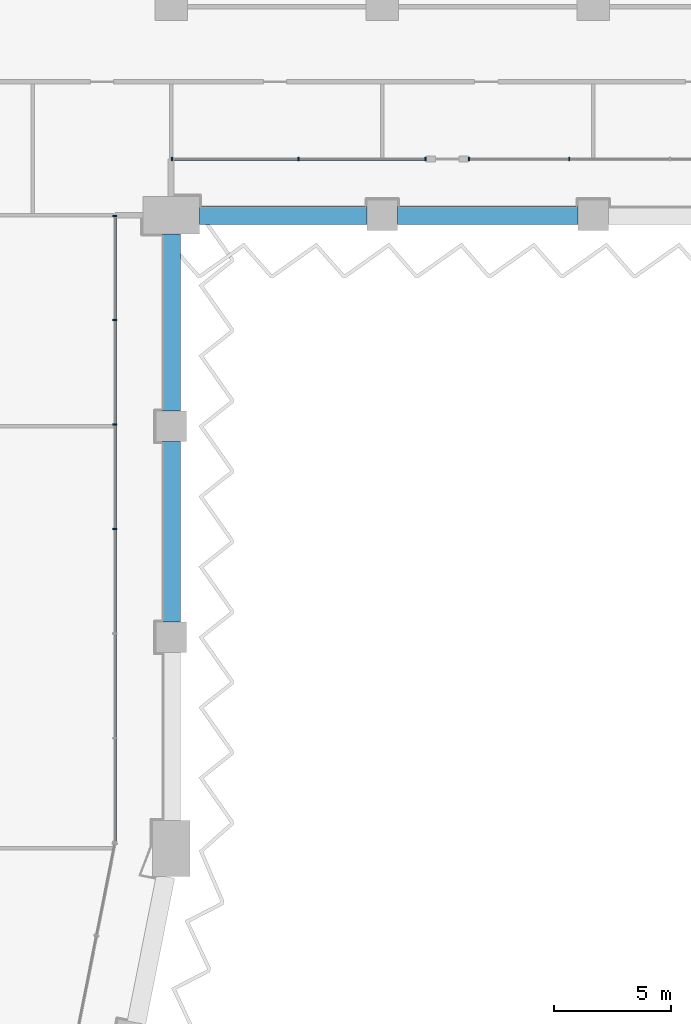
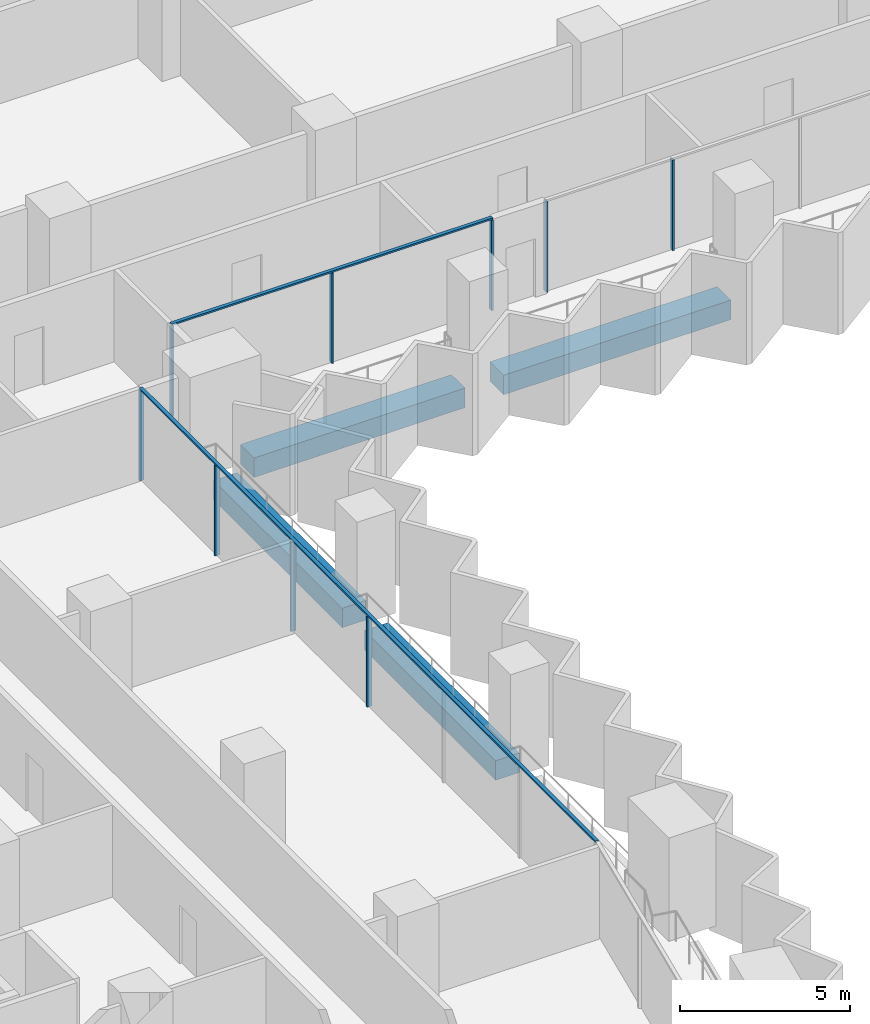
# One storey, part 4 of 29: 11 members, 4 beams, 3 elements without a shape of their own.
"""IFC4 building model written with IfcOpenShell, lengths in metres."""

from ifc_helpers import new_model, si_unit, direction, frame, origin, origin_2d, place, context, subcontext, project, spatial, rectangle, extrude, material, material_profile, profile_set, type_object, element, aggregate, save


model = new_model("IFC4")

# Units and contexts
model_context = context("Model", 3, precision=1e-05, world=origin(), true_north=direction((0.0, 1.0)))
body_context = subcontext(model_context, "Body", "Model", "MODEL_VIEW")
ifc_project = project(units=[si_unit("LENGTHUNIT", "METRE"), si_unit("AREAUNIT", "SQUARE_METRE"), si_unit("VOLUMEUNIT", "CUBIC_METRE"), si_unit("PLANEANGLEUNIT", "RADIAN"), si_unit("MASSUNIT", "GRAM", prefix="KILO")], contexts=[model_context])

# Site, building, storey
site_placement = place(None, origin())
site = spatial("IfcSite", under=ifc_project, at=site_placement, CompositionType="ELEMENT")
building_placement = place(site_placement, origin())
building = spatial("IfcBuilding", under=site, at=building_placement, Name="Hunhe Ridgeline Campus", CompositionType="ELEMENT")
storey_placement = place(building_placement, frame((0.0, 0.0, 50.60009765625)))
storey = spatial("IfcBuildingStorey", under=building, at=storey_placement, Name="L11", CompositionType="ELEMENT", Elevation=50.60009765625)

# Curtain wall, members
ifc_material_1 = material(Name="Aluminium 6063", Category="aluminium")
curtain_wall_type = type_object("IfcCurtainWallType", Name="Curtain wall CW-1", PredefinedType="NOTDEFINED", material=ifc_material_1)
curtain_wall_1_placement = place(storey_placement, origin())
curtain_wall_1 = element("IfcCurtainWall", 1, at=curtain_wall_1_placement, inside=storey, type_object=curtain_wall_type, Name="Curtain wall 11", PredefinedType="NOTDEFINED")
ifc_material_profile_1 = material_profile(ifc_material_1, rectangle(XDim=0.159912109375, YDim=0.06005859375, at=origin_2d()))
ifc_profile_set_1 = profile_set([ifc_material_profile_1], Name="Aluminium 6063")
member_type_1 = type_object("IfcMemberType", Name="CW-1 aluminium mullion", PredefinedType="MULLION", material=ifc_profile_set_1)
member_1_placement = place(storey_placement, frame((42.59912109375, 40.618408203125, 0.0), z_axis=(0.0, 0.0, 1.0), x_axis=(-1.0, 1.8682e-07, 0.0)))
member_1 = element("IfcMember", 2, at=member_1_placement, type_object=member_type_1, Name="CW-1 mullion 4", PredefinedType="MULLION", context=body_context, shape_type="SweptSolid", body=[
    extrude(rectangle(XDim=0.159912109375, YDim=0.06005859375, at=origin_2d()), origin(), (0.0, 0.0, 1.0), 3.239990234375),
])
member_2_placement = place(storey_placement, frame((42.59912109375, 45.078857421875, 0.0), z_axis=(0.0, 0.0, 1.0), x_axis=(-1.0, 1.8682e-07, 0.0)))
member_2 = element("IfcMember", 3, at=member_2_placement, type_object=member_type_1, Name="CW-1 mullion 5", PredefinedType="MULLION", context=body_context, shape_type="SweptSolid", body=[
    extrude(rectangle(XDim=0.159912109375, YDim=0.06005859375, at=origin_2d()), origin(), (0.0, 0.0, 1.0), 3.239990234375),
])
member_3_placement = place(storey_placement, frame((42.59912109375, 49.53955078125, 0.0), z_axis=(0.0, 0.0, 1.0), x_axis=(-1.0, 1.8682e-07, 0.0)))
member_3 = element("IfcMember", 4, at=member_3_placement, type_object=member_type_1, Name="CW-1 mullion 6", PredefinedType="MULLION", context=body_context, shape_type="SweptSolid", body=[
    extrude(rectangle(XDim=0.159912109375, YDim=0.06005859375, at=origin_2d()), origin(), (0.0, 0.0, 1.0), 3.239990234375),
])
member_4_placement = place(storey_placement, frame((42.59912109375, 53.97021484375, 0.0), z_axis=(0.0, 0.0, 1.0), x_axis=(-1.0, 1.8682e-07, 0.0)))
member_4 = element("IfcMember", 5, at=member_4_placement, type_object=member_type_1, Name="CW-1 mullion 7", PredefinedType="MULLION", context=body_context, shape_type="SweptSolid", body=[
    extrude(rectangle(XDim=0.159912109375, YDim=0.06005859375, at=origin_2d()), origin(), (0.0, 0.0, 1.0), 3.239990234375),
])

curtain_wall_2_placement = place(storey_placement, origin())
curtain_wall_2 = element("IfcCurtainWall", 6, at=curtain_wall_2_placement, inside=storey, type_object=curtain_wall_type, Name="Curtain wall 12", PredefinedType="NOTDEFINED")
member_5_placement = place(storey_placement, frame((45.029541015625, 56.40087890625, 0.0), z_axis=(0.0, 0.0, 1.0), x_axis=(-3.58625e-06, 0.999999999994, 0.0)))
member_5 = element("IfcMember", 7, at=member_5_placement, type_object=member_type_1, Name="CW-1 mullion 1", PredefinedType="MULLION", context=body_context, shape_type="SweptSolid", body=[
    extrude(rectangle(XDim=0.159912109375, YDim=0.06005859375, at=origin_2d()), origin(), (0.0, 0.0, 1.0), 3.239990234375),
])
member_6_placement = place(storey_placement, frame((50.436767578125, 56.40087890625, 0.0), z_axis=(0.0, 0.0, 1.0), x_axis=(-3.58625e-06, 0.999999999994, 0.0)))
member_6 = element("IfcMember", 8, at=member_6_placement, type_object=member_type_1, Name="CW-1 mullion 2", PredefinedType="MULLION", context=body_context, shape_type="SweptSolid", body=[
    extrude(rectangle(XDim=0.159912109375, YDim=0.06005859375, at=origin_2d()), origin(), (0.0, 0.0, 1.0), 3.239990234375),
])
member_7_placement = place(storey_placement, frame((55.84423828125, 56.40087890625, 0.0), z_axis=(0.0, 0.0, 1.0), x_axis=(-3.58625e-06, 0.999999999994, 0.0)))
member_7 = element("IfcMember", 9, at=member_7_placement, type_object=member_type_1, Name="CW-1 mullion 3", PredefinedType="MULLION", context=body_context, shape_type="SweptSolid", body=[
    extrude(rectangle(XDim=0.159912109375, YDim=0.06005859375, at=origin_2d()), origin(), (0.0, 0.0, 1.0), 3.239990234375),
])

curtain_wall_3_placement = place(storey_placement, origin())
curtain_wall_3 = element("IfcCurtainWall", 10, at=curtain_wall_3_placement, inside=storey, type_object=curtain_wall_type, Name="Curtain wall 13", PredefinedType="NOTDEFINED")
member_8_placement = place(storey_placement, frame((57.704345703125, 56.40087890625, 0.0), z_axis=(0.0, 0.0, 1.0), x_axis=(-3.602063e-06, 0.999999999994, 0.0)))
member_8 = element("IfcMember", 11, at=member_8_placement, type_object=member_type_1, Name="CW-1 mullion 1", PredefinedType="MULLION", context=body_context, shape_type="SweptSolid", body=[
    extrude(rectangle(XDim=0.159912109375, YDim=0.06005859375, at=origin_2d()), origin(), (0.0, 0.0, 1.0), 3.239990234375),
])
member_9_placement = place(storey_placement, frame((61.977294921875, 56.40087890625, 0.0), z_axis=(0.0, 0.0, 1.0), x_axis=(-3.602063e-06, 0.999999999994, 0.0)))
member_9 = element("IfcMember", 12, at=member_9_placement, type_object=member_type_1, Name="CW-1 mullion 2", PredefinedType="MULLION", context=body_context, shape_type="SweptSolid", body=[
    extrude(rectangle(XDim=0.159912109375, YDim=0.06005859375, at=origin_2d()), origin(), (0.0, 0.0, 1.0), 3.239990234375),
])
aggregate(curtain_wall_3, [member_8, member_9])

# Member
ifc_material_profile_2 = material_profile(ifc_material_1, rectangle(XDim=0.1201171875, YDim=0.06005859375, at=origin_2d()))
ifc_profile_set_2 = profile_set([ifc_material_profile_2], Name="Aluminium 6063")
member_type_2 = type_object("IfcMemberType", Name="CW-1 aluminium transom", PredefinedType="USERDEFINED", material=ifc_profile_set_2)
member_10_placement = place(storey_placement, frame((42.59912109375, 27.236572265625, 3.27001953125), z_axis=(0.0, 1.0, 0.0), x_axis=(-1.0, 0.0, 0.0)))
member_10 = element("IfcMember", 13, at=member_10_placement, type_object=member_type_2, Name="CW-1 transom 1", ObjectType="TRANSOM", PredefinedType="USERDEFINED", context=body_context, shape_type="SweptSolid", body=[
    extrude(rectangle(XDim=0.1201171875, YDim=0.06005859375, at=origin_2d()), origin(), (0.0, 0.0, 1.0), 26.763427734375),
])

aggregate(curtain_wall_1, [member_10, member_1, member_2, member_3, member_4])

member_11_placement = place(storey_placement, frame((44.99951171875, 56.40087890625, 3.27001953125), z_axis=(1.0, 0.0, 0.0), x_axis=(0.0, 1.0, 0.0)))
member_11 = element("IfcMember", 14, at=member_11_placement, type_object=member_type_2, Name="CW-1 transom 1", ObjectType="TRANSOM", PredefinedType="USERDEFINED", context=body_context, shape_type="SweptSolid", body=[
    extrude(rectangle(XDim=0.1201171875, YDim=0.06005859375, at=origin_2d()), origin(), (0.0, 0.0, 1.0), 10.874755859375),
])

aggregate(curtain_wall_2, [member_11, member_5, member_6, member_7])

# Beams
ifc_material_2 = material(Name="Concrete C60", Category="concrete")
ifc_material_profile_3 = material_profile(ifc_material_2, rectangle(XDim=0.800048828125, YDim=0.699951171875, at=origin_2d()))
ifc_profile_set_3 = profile_set([ifc_material_profile_3], Name="Concrete C60")
beam_type = type_object("IfcBeamType", Name="RC spandrel beam 800x700 Concrete C60", PredefinedType="SPANDREL", material=ifc_profile_set_3)
beam_1_placement = place(storey_placement, frame((45.0, 36.64990234375, -0.60009765625), z_axis=(0.0, 1.0, 0.0), x_axis=(-1.0, 0.0, 0.0)))
element("IfcBeam", 15, at=beam_1_placement, inside=storey, type_object=beam_type, Name="Spandrel beam B1-10 L11", PredefinedType="SPANDREL", context=body_context, shape_type="SweptSolid", body=[
    extrude(rectangle(XDim=0.800048828125, YDim=0.699951171875, at=origin_2d()), origin(), (0.0, 0.0, 1.0), 7.7001953125),
])
beam_2_placement = place(storey_placement, frame((45.0, 45.64990234375, -0.60009765625), z_axis=(0.0, 1.0, 0.0), x_axis=(-1.0, 0.0, 0.0)))
element("IfcBeam", 16, at=beam_2_placement, inside=storey, type_object=beam_type, Name="Spandrel beam B1-11 L11", PredefinedType="SPANDREL", context=body_context, shape_type="SweptSolid", body=[
    extrude(rectangle(XDim=0.800048828125, YDim=0.699951171875, at=origin_2d()), origin(), (0.0, 0.0, 1.0), 7.550048828125),
])
beam_3_placement = place(storey_placement, frame((46.199951171875, 54.0, -0.60009765625), z_axis=(1.0, 0.0, 0.0), x_axis=(0.0, 1.0, 0.0)))
element("IfcBeam", 17, at=beam_3_placement, inside=storey, type_object=beam_type, Name="Spandrel beam B1-12 L11", PredefinedType="SPANDREL", context=body_context, shape_type="SweptSolid", body=[
    extrude(rectangle(XDim=0.800048828125, YDim=0.699951171875, at=origin_2d()), origin(), (0.0, 0.0, 1.0), 7.150146484375),
])
beam_4_placement = place(storey_placement, frame((54.64990234375, 54.0, -0.60009765625), z_axis=(1.0, 0.0, 0.0), x_axis=(0.0, 1.0, 0.0)))
element("IfcBeam", 18, at=beam_4_placement, inside=storey, type_object=beam_type, Name="Spandrel beam B1-13 L11", PredefinedType="SPANDREL", context=body_context, shape_type="SweptSolid", body=[
    extrude(rectangle(XDim=0.800048828125, YDim=0.699951171875, at=origin_2d()), origin(), (0.0, 0.0, 1.0), 7.7001953125),
])

save(model, "model.ifc")
